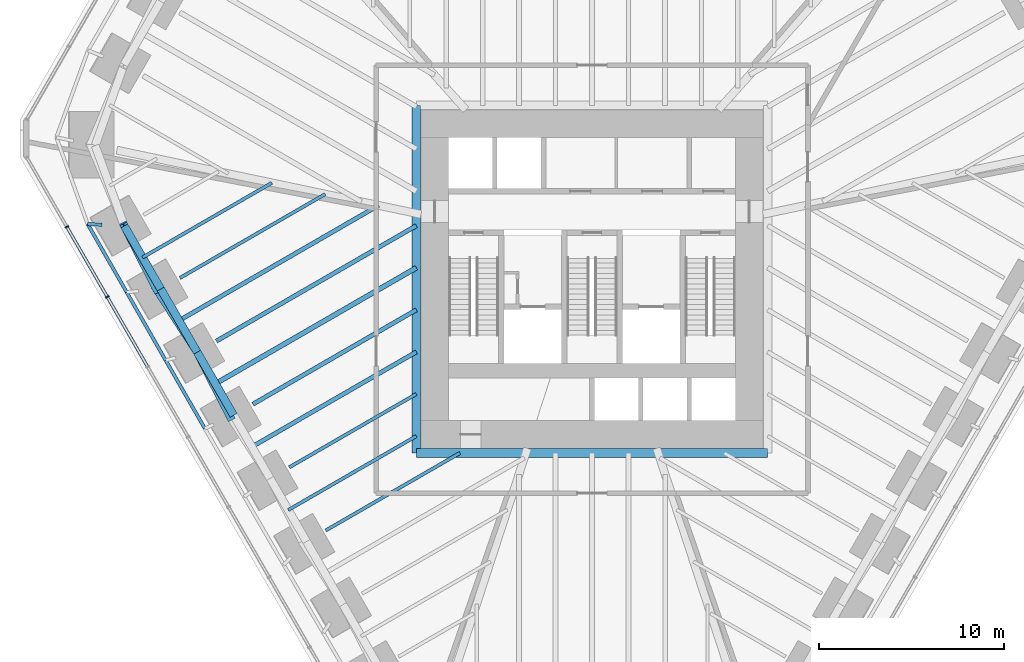
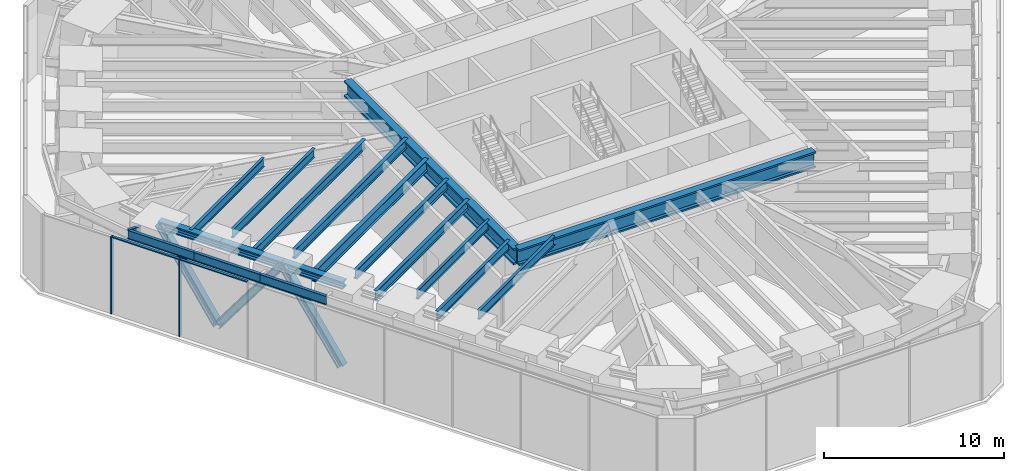
# One storey, part 3 of 13: 19 beams, 7 members, 1 element without a shape of its own.
"""IFC4 building model written with IfcOpenShell, lengths in metres."""

from ifc_helpers import new_model, si_unit, direction, frame, origin, origin_2d, place, context, subcontext, project, spatial, rectangle, i_section, extrude, material, material_profile, profile_set, type_object, element, aggregate, save


model = new_model("IFC4")

# Units and contexts
model_context = context("Model", 3, precision=1e-05, world=origin(), true_north=direction((0.0, 1.0)))
body_context = subcontext(model_context, "Body", "Model", "MODEL_VIEW")
ifc_project = project(units=[si_unit("LENGTHUNIT", "METRE"), si_unit("AREAUNIT", "SQUARE_METRE"), si_unit("VOLUMEUNIT", "CUBIC_METRE"), si_unit("PLANEANGLEUNIT", "RADIAN"), si_unit("MASSUNIT", "GRAM", prefix="KILO")], contexts=[model_context])

# Site, building, storey
site_placement = place(None, origin())
site = spatial("IfcSite", under=ifc_project, at=site_placement, CompositionType="ELEMENT")
building_placement = place(site_placement, origin())
building = spatial("IfcBuilding", under=site, at=building_placement, Name="Sandreach Pilgrim Tower", CompositionType="ELEMENT")
storey_placement = place(building_placement, frame((0.0, 0.0, 91.39990234375)))
storey = spatial("IfcBuildingStorey", under=building, at=storey_placement, Name="L22", CompositionType="ELEMENT", Elevation=91.39990234375)

# Beams
ifc_material_1 = material(Name="Steel ASTM A913 Grade 65", Category="steel")
ifc_material_profile_1 = material_profile(ifc_material_1, i_section(OverallWidth=0.431884765625, OverallDepth=0.497802734375, WebThickness=0.0556640625, FlangeThickness=0.0888671875, at=origin_2d()), Name="W14X500")
ifc_profile_set_1 = profile_set([ifc_material_profile_1], Name="Steel ASTM A913 Grade 65")
beam_type_1 = type_object("IfcBeamType", Name="Belt truss chord W14X500", PredefinedType="BEAM", material=ifc_profile_set_1)
for number, where, z_axis, x_axis, name in (
    (1, (-19.3740234375, -8.910888671875, 4.9912109375), (-0.49999779889, 0.866026674592, 0.0), (-0.866026674592, -0.49999779889, 0.0), "BM L22 BTT31"),
    (2, (-21.343994140625, -5.498779296875, 4.9912109375), (-0.49999779889, 0.866026674592, 0.0), (-0.866026674592, -0.49999779889, 0.0), "BM L22 BTT32"),
    (3, (-23.31396484375, -2.086669921875, 4.9912109375), (-0.49999779889, 0.866026674592, 0.0), (-0.866026674592, -0.49999779889, 0.0), "BM L22 BTT33"),
):
    element("IfcBeam", number, at=place(storey_placement, frame(where, z_axis=z_axis, x_axis=x_axis)), inside=storey, type_object=beam_type_1, Name=name, PredefinedType="BEAM", context=body_context, shape_type="SweptSolid", body=[
        extrude(i_section(OverallWidth=0.431884765625, OverallDepth=0.497802734375, WebThickness=0.0556640625, FlangeThickness=0.0888671875, at=origin_2d()), origin(), (0.0, 0.0, 1.0), 3.93994140625),
    ])

# Members
ifc_material_2 = material(Name="Steel ASTM A913 Grade 65", Category="steel")
ifc_material_profile_2 = material_profile(ifc_material_2, i_section(OverallWidth=0.424072265625, OverallDepth=0.47509765625, WebThickness=0.0478515625, FlangeThickness=0.0771484375, at=origin_2d()), Name="W14X426")
ifc_profile_set_2 = profile_set([ifc_material_profile_2], Name="Steel ASTM A913 Grade 65")
member_type_1 = type_object("IfcMemberType", Name="Belt truss diagonal W14X426", PredefinedType="BRACE", material=ifc_profile_set_2)
member_1_placement = place(storey_placement, frame((-19.554931640625, -8.994140625, -0.408935546875), z_axis=(-0.267951428896, 0.523507178971, 0.808790618961), x_axis=(-0.890171929772, -0.455624774839, 0.0)))
element("IfcMember", 4, at=member_1_placement, inside=storey, type_object=member_type_1, Name="Belt truss diagonal L22 bay 31", PredefinedType="BRACE", context=body_context, shape_type="SweptSolid", body=[
    extrude(i_section(OverallWidth=0.424072265625, OverallDepth=0.47509765625, WebThickness=0.0478515625, FlangeThickness=0.0771484375, at=origin_2d()), origin(), (0.0, 0.0, 1.0), 6.6767578125),
])
member_2_placement = place(storey_placement, frame((-21.343994140625, -5.498779296875, 4.9912109375), z_axis=(-0.324484732713, 0.503184895188, -0.800946077768), x_axis=(-0.840411276685, -0.54194915446, 0.0)))
element("IfcMember", 5, at=member_2_placement, inside=storey, type_object=member_type_1, Name="Belt truss diagonal L22 bay 32", PredefinedType="BRACE", context=body_context, shape_type="SweptSolid", body=[
    extrude(i_section(OverallWidth=0.424072265625, OverallDepth=0.47509765625, WebThickness=0.0478515625, FlangeThickness=0.0771484375, at=origin_2d()), origin(), (0.0, 0.0, 1.0), 6.7421875),
])
member_3_placement = place(storey_placement, frame((-23.53173828125, -2.106201171875, -0.408935546875), z_axis=(-0.264129862058, 0.51729264889, 0.814029318498), x_axis=(-0.890618915247, -0.454750423643, 0.0)))
element("IfcMember", 6, at=member_3_placement, inside=storey, type_object=member_type_1, Name="Belt truss diagonal L22 bay 33", PredefinedType="BRACE", context=body_context, shape_type="SweptSolid", body=[
    extrude(i_section(OverallWidth=0.424072265625, OverallDepth=0.47509765625, WebThickness=0.0478515625, FlangeThickness=0.0771484375, at=origin_2d()), origin(), (0.0, 0.0, 1.0), 6.6337890625),
])

# Curtain wall, members
ifc_material_3 = material(Name="Aluminium framed curtain wall", Category="aluminium")
curtain_wall_type = type_object("IfcCurtainWallType", Name="Plant storey louvred curtain wall", PredefinedType="NOTDEFINED", material=ifc_material_3)
curtain_wall_placement = place(storey_placement, origin())
curtain_wall = element("IfcCurtainWall", 7, at=curtain_wall_placement, inside=storey, type_object=curtain_wall_type, Name="CW-L L22 SW", PredefinedType="NOTDEFINED")
ifc_material_4 = material(Name="Aluminium extrusion", Category="aluminium")
ifc_material_profile_3 = material_profile(ifc_material_4, rectangle(XDim=0.080078125, YDim=0.199951171875, at=origin_2d()), Name="CW-LM 80X200")
ifc_profile_set_3 = profile_set([ifc_material_profile_3], Name="Aluminium extrusion")
member_type_2 = type_object("IfcMemberType", Name="CW-L mullion", PredefinedType="MULLION", material=ifc_profile_set_3)
member_4_placement = place(storey_placement, frame((-26.20458984375, -2.509521484375, 0.0), z_axis=(0.0, 0.0, 1.0), x_axis=(-0.5, 0.866025403784, 0.0)))
member_4 = element("IfcMember", 8, at=member_4_placement, type_object=member_type_2, Name="CW-L mullion 8", PredefinedType="MULLION", context=body_context, shape_type="SweptSolid", body=[
    extrude(rectangle(XDim=0.080078125, YDim=0.199951171875, at=origin_2d()), origin(), (0.0, 0.0, 1.0), 5.239990234375),
])
member_5_placement = place(storey_placement, frame((-28.390380859375, 1.2763671875, 0.0), z_axis=(0.0, 0.0, 1.0), x_axis=(-0.5, 0.866025403784, 0.0)))
member_5 = element("IfcMember", 9, at=member_5_placement, type_object=member_type_2, Name="CW-L mullion 9", PredefinedType="MULLION", context=body_context, shape_type="SweptSolid", body=[
    extrude(rectangle(XDim=0.080078125, YDim=0.199951171875, at=origin_2d()), origin(), (0.0, 0.0, 1.0), 5.239990234375),
])
ifc_material_5 = material(Name="Aluminium extrusion", Category="aluminium")
ifc_material_profile_4 = material_profile(ifc_material_5, rectangle(XDim=0.159912109375, YDim=0.070068359375, at=origin_2d()), Name="CW-LT 160X70")
ifc_profile_set_4 = profile_set([ifc_material_profile_4], Name="Aluminium extrusion")
member_type_3 = type_object("IfcMemberType", Name="CW-L transom", PredefinedType="USERDEFINED", material=ifc_profile_set_4)
member_6_placement = place(storey_placement, frame((-24.038818359375, -6.260986328125, 5.205078125), z_axis=(-0.499975232926, 0.866039702589, 0.0), x_axis=(-0.866039702589, -0.499975232926, 0.0)))
member_6 = element("IfcMember", 10, at=member_6_placement, type_object=member_type_3, Name="CW-L head transom 7", ObjectType="TRANSOM", PredefinedType="USERDEFINED", context=body_context, shape_type="SweptSolid", body=[
    extrude(rectangle(XDim=0.159912109375, YDim=0.070068359375, at=origin_2d()), origin(), (0.0, 0.0, 1.0), 4.291748046875),
])
member_7_placement = place(storey_placement, frame((-26.224609375, -2.474853515625, 5.205078125), z_axis=(-0.49999986569, 0.866025481328, 0.0), x_axis=(-0.866025481328, -0.49999986569, 0.0)))
member_7 = element("IfcMember", 11, at=member_7_placement, type_object=member_type_3, Name="CW-L head transom 8", ObjectType="TRANSOM", PredefinedType="USERDEFINED", context=body_context, shape_type="SweptSolid", body=[
    extrude(rectangle(XDim=0.159912109375, YDim=0.070068359375, at=origin_2d()), origin(), (0.0, 0.0, 1.0), 4.29150390625),
])
aggregate(curtain_wall, [member_4, member_5, member_6, member_7])

# Beams
ifc_material_6 = material(Name="Steel ASTM A992 Grade 50", Category="steel")
ifc_material_profile_5 = material_profile(ifc_material_6, i_section(OverallWidth=0.472412109375, OverallDepth=1.0947265625, WebThickness=0.07666015625, FlangeThickness=0.114990234375, at=origin_2d()), Name="W36X925")
ifc_profile_set_5 = profile_set([ifc_material_profile_5], Name="Steel ASTM A992 Grade 50")
beam_type_2 = type_object("IfcBeamType", Name="Core edge beam W36X925", PredefinedType="BEAM", material=ifc_profile_set_5)
beam_1_placement = place(storey_placement, frame((9.496337890625, -10.9462890625, 4.692626953125), z_axis=(-1.0, 0.0, 0.0), x_axis=(0.0, -1.0, 0.0)))
element("IfcBeam", 12, at=beam_1_placement, inside=storey, type_object=beam_type_2, Name="BM L22 CES", PredefinedType="BEAM", context=body_context, shape_type="SweptSolid", body=[
    extrude(i_section(OverallWidth=0.472412109375, OverallDepth=1.0947265625, WebThickness=0.07666015625, FlangeThickness=0.114990234375, at=origin_2d()), origin(), (0.0, 0.0, 1.0), 18.99267578125),
])
beam_2_placement = place(storey_placement, frame((-9.496337890625, -10.9462890625, 4.692626953125), z_axis=(0.0, 1.0, 0.0), x_axis=(-1.0, 0.0, 0.0)))
element("IfcBeam", 13, at=beam_2_placement, inside=storey, type_object=beam_type_2, Name="BM L22 CEW", PredefinedType="BEAM", context=body_context, shape_type="SweptSolid", body=[
    extrude(i_section(OverallWidth=0.472412109375, OverallDepth=1.0947265625, WebThickness=0.07666015625, FlangeThickness=0.114990234375, at=origin_2d()), origin(), (0.0, 0.0, 1.0), 18.79248046875),
])
ifc_material_7 = material(Name="Steel ASTM A992 Grade 50", Category="steel")
ifc_material_profile_6 = material_profile(ifc_material_7, i_section(OverallWidth=0.1787109375, OverallDepth=0.60205078125, WebThickness=0.010986328125, FlangeThickness=0.014892578125, at=origin_2d()), Name="W24X62")
ifc_profile_set_6 = profile_set([ifc_material_profile_6], Name="Steel ASTM A992 Grade 50")
beam_type_3 = type_object("IfcBeamType", Name="Floor beam W24X62", PredefinedType="BEAM", material=ifc_profile_set_6)
beam_3_placement = place(storey_placement, frame((-14.394775390625, -15.135009765625, 4.939208984375), z_axis=(0.866026892193, 0.499997421992, 0.0), x_axis=(-0.499997421992, 0.866026892193, 0.0)))
element("IfcBeam", 14, at=beam_3_placement, inside=storey, type_object=beam_type_3, Name="BM L22 F29", PredefinedType="BEAM", context=body_context, shape_type="SweptSolid", body=[
    extrude(i_section(OverallWidth=0.1787109375, OverallDepth=0.60205078125, WebThickness=0.010986328125, FlangeThickness=0.014892578125, at=origin_2d()), origin(), (0.0, 0.0, 1.0), 8.37744140625),
])
beam_4_placement = place(storey_placement, frame((-16.36474609375, -11.722900390625, 4.939208984375), z_axis=(0.866020006944, 0.500009347485, 0.0), x_axis=(-0.500009347485, 0.866020006944, 0.0)))
element("IfcBeam", 15, at=beam_4_placement, inside=storey, type_object=beam_type_3, Name="BM L22 F30", PredefinedType="BEAM", context=body_context, shape_type="SweptSolid", body=[
    extrude(i_section(OverallWidth=0.1787109375, OverallDepth=0.60205078125, WebThickness=0.010986328125, FlangeThickness=0.014892578125, at=origin_2d()), origin(), (0.0, 0.0, 1.0), 7.930908203125),
])
beam_5_placement = place(storey_placement, frame((-22.274658203125, -1.486572265625, 4.939208984375), z_axis=(0.866020076177, 0.500009227573, 0.0), x_axis=(-0.500009227573, 0.866020076177, 0.0)))
element("IfcBeam", 16, at=beam_5_placement, inside=storey, type_object=beam_type_3, Name="BM L22 F33", PredefinedType="BEAM", context=body_context, shape_type="SweptSolid", body=[
    extrude(i_section(OverallWidth=0.1787109375, OverallDepth=0.60205078125, WebThickness=0.010986328125, FlangeThickness=0.014892578125, at=origin_2d()), origin(), (0.0, 0.0, 1.0), 9.064208984375),
])
beam_6_placement = place(storey_placement, frame((-16.4189453125, -14.029052734375, 4.939208984375), z_axis=(0.866022320763, 0.500005339912, 0.0), x_axis=(-0.500005339912, 0.866022320763, 0.0)))
element("IfcBeam", 17, at=beam_6_placement, inside=storey, type_object=beam_type_3, Name="BM L22 FM29", PredefinedType="BEAM", context=body_context, shape_type="SweptSolid", body=[
    extrude(i_section(OverallWidth=0.1787109375, OverallDepth=0.60205078125, WebThickness=0.010986328125, FlangeThickness=0.014892578125, at=origin_2d()), origin(), (0.0, 0.0, 1.0), 7.99365234375),
])
beam_7_placement = place(storey_placement, frame((-24.298828125, -0.380615234375, 4.939208984375), z_axis=(0.866022864518, 0.500004398112, 0.0), x_axis=(-0.500004398112, 0.866022864518, 0.0)))
element("IfcBeam", 18, at=beam_7_placement, inside=storey, type_object=beam_type_3, Name="BM L22 FM33", PredefinedType="BEAM", context=body_context, shape_type="SweptSolid", body=[
    extrude(i_section(OverallWidth=0.1787109375, OverallDepth=0.60205078125, WebThickness=0.010986328125, FlangeThickness=0.014892578125, at=origin_2d()), origin(), (0.0, 0.0, 1.0), 8.0703125),
])
ifc_material_8 = material(Name="Steel ASTM A992 Grade 50", Category="steel")
ifc_material_profile_7 = material_profile(ifc_material_8, i_section(OverallWidth=0.23046875, OverallDepth=0.6171875, WebThickness=0.01318359375, FlangeThickness=0.022216796875, at=origin_2d()), Name="W24X94")
ifc_profile_set_7 = profile_set([ifc_material_profile_7], Name="Steel ASTM A992 Grade 50")
beam_type_4 = type_object("IfcBeamType", Name="Floor beam W24X94", PredefinedType="BEAM", material=ifc_profile_set_7)
beam_8_placement = place(storey_placement, frame((-18.334716796875, -8.310791015625, 4.931396484375), z_axis=(0.866027832292, 0.499995793678, 0.0), x_axis=(-0.499995793678, 0.866027832292, 0.0)))
element("IfcBeam", 19, at=beam_8_placement, inside=storey, type_object=beam_type_4, Name="BM L22 F31", PredefinedType="BEAM", context=body_context, shape_type="SweptSolid", body=[
    extrude(i_section(OverallWidth=0.23046875, OverallDepth=0.6171875, WebThickness=0.01318359375, FlangeThickness=0.022216796875, at=origin_2d()), origin(), (0.0, 0.0, 1.0), 10.20556640625),
])
beam_9_placement = place(storey_placement, frame((-20.3046875, -4.898681640625, 4.931396484375), z_axis=(0.866024334523, 0.500001852011, 0.0), x_axis=(-0.500001852011, 0.866024334523, 0.0)))
element("IfcBeam", 20, at=beam_9_placement, inside=storey, type_object=beam_type_4, Name="BM L22 F32", PredefinedType="BEAM", context=body_context, shape_type="SweptSolid", body=[
    extrude(i_section(OverallWidth=0.23046875, OverallDepth=0.6171875, WebThickness=0.01318359375, FlangeThickness=0.022216796875, at=origin_2d()), origin(), (0.0, 0.0, 1.0), 12.48046875),
])
beam_10_placement = place(storey_placement, frame((-18.388916015625, -10.616943359375, 4.931396484375), z_axis=(0.8660192904, 0.500010588543, 0.0), x_axis=(-0.500010588543, 0.8660192904, 0.0)))
element("IfcBeam", 21, at=beam_10_placement, inside=storey, type_object=beam_type_4, Name="BM L22 FM30", PredefinedType="BEAM", context=body_context, shape_type="SweptSolid", body=[
    extrude(i_section(OverallWidth=0.23046875, OverallDepth=0.6171875, WebThickness=0.01318359375, FlangeThickness=0.022216796875, at=origin_2d()), origin(), (0.0, 0.0, 1.0), 10.268310546875),
])
beam_11_placement = place(storey_placement, frame((-22.328857421875, -3.792724609375, 4.931396484375), z_axis=(0.866019150617, 0.500010830648, 0.0), x_axis=(-0.500010830648, 0.866019150617, 0.0)))
element("IfcBeam", 22, at=beam_11_placement, inside=storey, type_object=beam_type_4, Name="BM L22 FM32", PredefinedType="BEAM", context=body_context, shape_type="SweptSolid", body=[
    extrude(i_section(OverallWidth=0.23046875, OverallDepth=0.6171875, WebThickness=0.01318359375, FlangeThickness=0.022216796875, at=origin_2d()), origin(), (0.0, 0.0, 1.0), 12.458251953125),
])
ifc_material_9 = material(Name="Steel ASTM A992 Grade 50", Category="steel")
ifc_material_profile_8 = material_profile(ifc_material_9, i_section(OverallWidth=0.2666015625, OverallDepth=0.761962890625, WebThickness=0.014404296875, FlangeThickness=0.021484375, at=origin_2d()), Name="W30X116")
ifc_profile_set_8 = profile_set([ifc_material_profile_8], Name="Steel ASTM A992 Grade 50")
beam_type_5 = type_object("IfcBeamType", Name="Floor beam W30X116", PredefinedType="BEAM", material=ifc_profile_set_8)
beam_12_placement = place(storey_placement, frame((-20.35888671875, -7.204833984375, 4.859130859375), z_axis=(0.86601735917, 0.500013933422, 0.0), x_axis=(-0.500013933422, 0.86601735917, 0.0)))
element("IfcBeam", 23, at=beam_12_placement, inside=storey, type_object=beam_type_5, Name="BM L22 FM31", PredefinedType="BEAM", context=body_context, shape_type="SweptSolid", body=[
    extrude(i_section(OverallWidth=0.2666015625, OverallDepth=0.761962890625, WebThickness=0.014404296875, FlangeThickness=0.021484375, at=origin_2d()), origin(), (0.0, 0.0, 1.0), 12.543212890625),
])
ifc_material_10 = material(Name="Steel ASTM A992 Grade 50", Category="steel")
ifc_material_profile_9 = material_profile(ifc_material_10, i_section(OverallWidth=0.1787109375, OverallDepth=0.60205078125, WebThickness=0.010986328125, FlangeThickness=0.014892578125, at=origin_2d()), Name="W24X62")
ifc_profile_set_9 = profile_set([ifc_material_profile_9], Name="Steel ASTM A992 Grade 50")
beam_type_6 = type_object("IfcBeamType", Name="Setback roof edge beam W24X62", PredefinedType="BEAM", material=ifc_profile_set_9)
beam_13_placement = place(storey_placement, frame((-20.9287109375, -9.6259765625, 4.899169921875), z_axis=(-0.498343878302, 0.866979457057, 0.0), x_axis=(-0.866979457057, -0.498343878302, 0.0)))
element("IfcBeam", 24, at=beam_13_placement, inside=storey, type_object=beam_type_6, Name="BM L22 RE31", PredefinedType="BEAM", context=body_context, shape_type="SweptSolid", body=[
    extrude(i_section(OverallWidth=0.1787109375, OverallDepth=0.60205078125, WebThickness=0.010986328125, FlangeThickness=0.014892578125, at=origin_2d()), origin(), (0.0, 0.0, 1.0), 4.25390625),
])
beam_14_placement = place(storey_placement, frame((-23.048583984375, -5.93798828125, 4.899169921875), z_axis=(-0.497116499805, 0.867683805093, 0.0), x_axis=(-0.867683805093, -0.497116499805, 0.0)))
element("IfcBeam", 25, at=beam_14_placement, inside=storey, type_object=beam_type_6, Name="BM L22 RE32", PredefinedType="BEAM", context=body_context, shape_type="SweptSolid", body=[
    extrude(i_section(OverallWidth=0.1787109375, OverallDepth=0.60205078125, WebThickness=0.010986328125, FlangeThickness=0.014892578125, at=origin_2d()), origin(), (0.0, 0.0, 1.0), 4.248046875),
])
beam_15_placement = place(storey_placement, frame((-25.160400390625, -2.251953125, 4.899169921875), z_axis=(-0.496504658299, 0.868034057101, 0.0), x_axis=(-0.868034057101, -0.496504658299, 0.0)))
element("IfcBeam", 26, at=beam_15_placement, inside=storey, type_object=beam_type_6, Name="BM L22 RE33", PredefinedType="BEAM", context=body_context, shape_type="SweptSolid", body=[
    extrude(i_section(OverallWidth=0.1787109375, OverallDepth=0.60205078125, WebThickness=0.010986328125, FlangeThickness=0.014892578125, at=origin_2d()), origin(), (0.0, 0.0, 1.0), 4.240966796875),
])
ifc_material_11 = material(Name="Steel ASTM A992 Grade 50", Category="steel")
ifc_material_profile_10 = material_profile(ifc_material_11, i_section(OverallWidth=0.1787109375, OverallDepth=0.60205078125, WebThickness=0.010986328125, FlangeThickness=0.014892578125, at=origin_2d()), Name="W24X62")
ifc_profile_set_10 = profile_set([ifc_material_profile_10], Name="Steel ASTM A992 Grade 50")
beam_type_7 = type_object("IfcBeamType", Name="Setback roof outlooker W24X62", PredefinedType="BEAM", material=ifc_profile_set_10)
beam_16_placement = place(storey_placement, frame((-26.482177734375, 1.38818359375, 4.899169921875), z_axis=(-0.998617829333, 0.052558833123, 0.0), x_axis=(-0.052558833123, -0.998617829333, 0.0)))
element("IfcBeam", 27, at=beam_16_placement, inside=storey, type_object=beam_type_7, Name="BM L22 OL34", PredefinedType="BEAM", context=body_context, shape_type="SweptSolid", body=[
    extrude(i_section(OverallWidth=0.1787109375, OverallDepth=0.60205078125, WebThickness=0.010986328125, FlangeThickness=0.014892578125, at=origin_2d()), origin(), (0.0, 0.0, 1.0), 0.784912109375),
])

save(model, "model.ifc")
